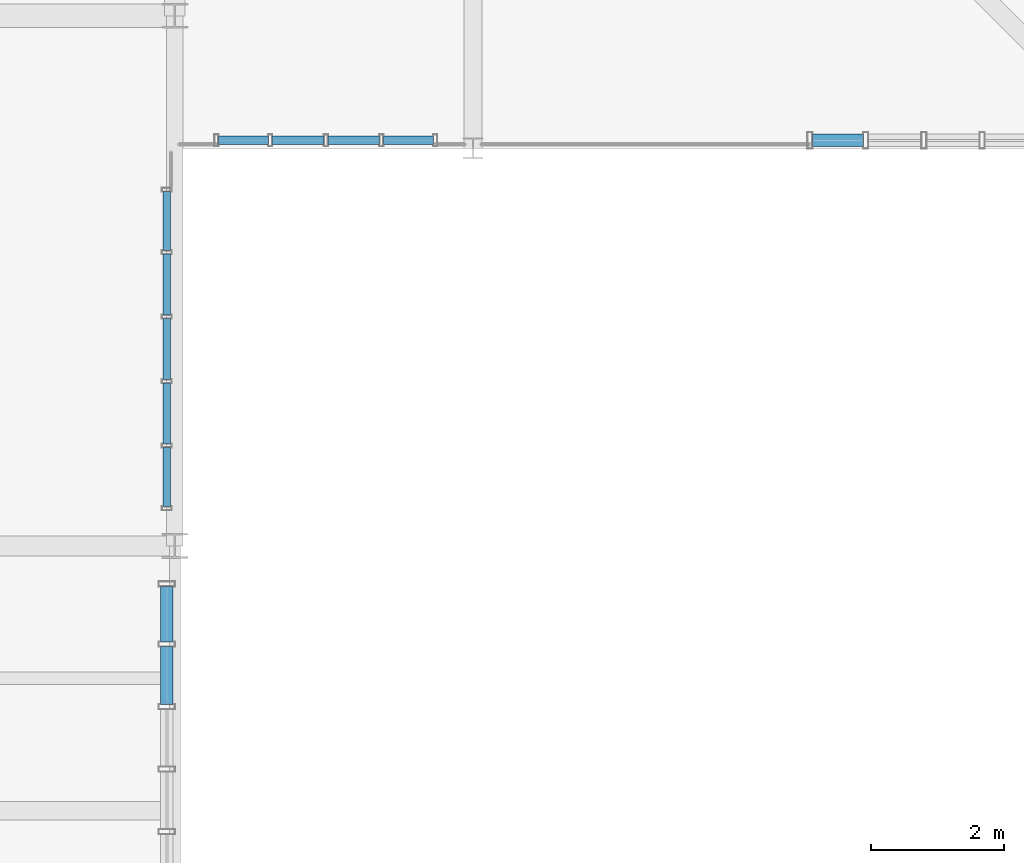
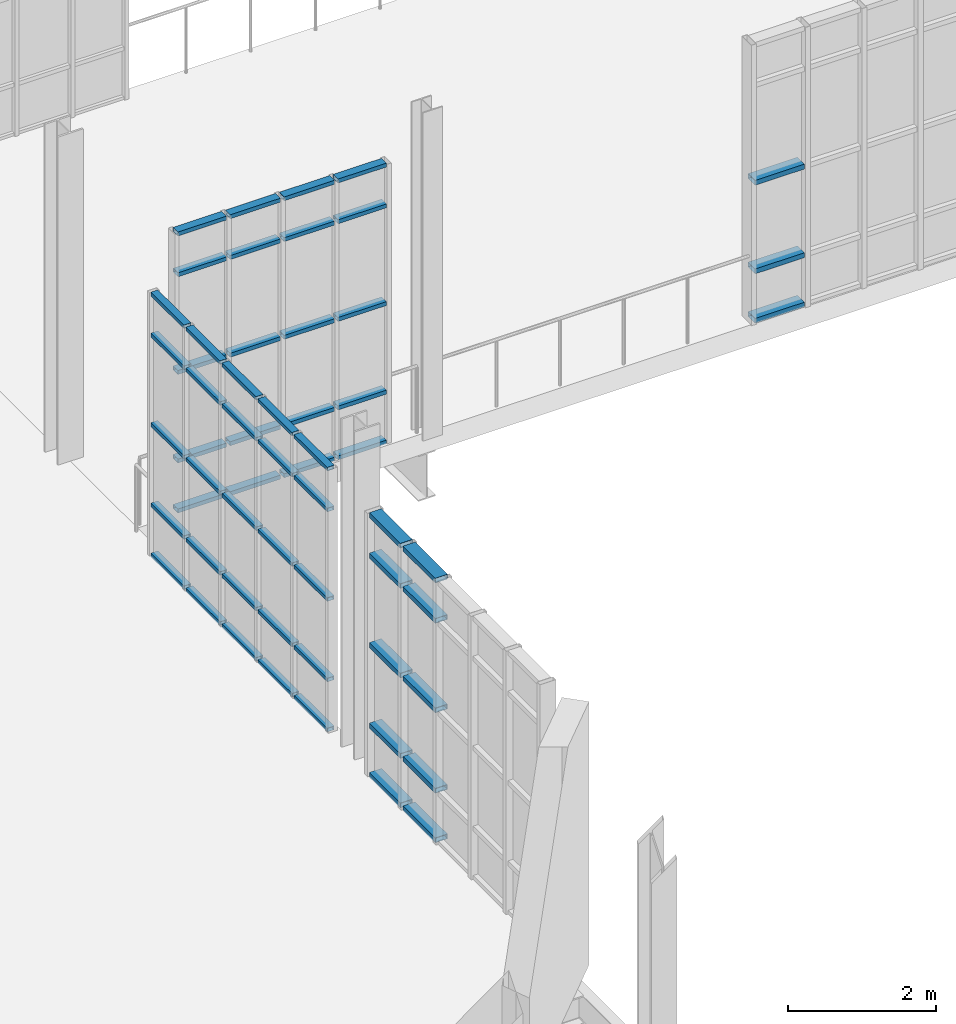
# One storey, part 113 of 189: 58 members, 4 elements without a shape of their own.
"""IFC4 building model written with IfcOpenShell, lengths in metres."""

from ifc_helpers import new_model, si_unit, direction, frame, origin, origin_2d, place, context, subcontext, project, spatial, hollow_rectangle, extrude, material, layer, layer_set, material_profile, profile_set, type_object, element, aggregate, save


model = new_model("IFC4")

# Units and contexts
model_context = context("Model", 3, precision=1e-05, world=origin(), true_north=direction((0.0, 1.0)))
body_context = subcontext(model_context, "Body", "Model", "MODEL_VIEW")
ifc_project = project(units=[si_unit("LENGTHUNIT", "METRE"), si_unit("AREAUNIT", "SQUARE_METRE"), si_unit("VOLUMEUNIT", "CUBIC_METRE"), si_unit("PLANEANGLEUNIT", "RADIAN"), si_unit("MASSUNIT", "GRAM", prefix="KILO"), si_unit("THERMODYNAMICTEMPERATUREUNIT", "KELVIN"), si_unit("POWERUNIT", "WATT")], contexts=[model_context])

# Site, building, storey
site_placement = place(None, origin())
site = spatial("IfcSite", under=ifc_project, at=site_placement, CompositionType="ELEMENT")
building_placement = place(site_placement, origin())
building = spatial("IfcBuilding", under=site, at=building_placement, Name="Zelmaris Science Centre", CompositionType="ELEMENT")
storey_placement = place(building_placement, origin())
storey = spatial("IfcBuildingStorey", under=building, at=storey_placement, Name="L00", CompositionType="ELEMENT", Elevation=0.0)

# Curtain wall, members
ifc_material = material(Name="Anodised architectural aluminium 6063-T6", Category="aluminium")
ifc_layer_1 = layer(ifc_material, 0.219970703125, Name="Anodised architectural aluminium 6063-T6")
ifc_layer_set_1 = layer_set([ifc_layer_1], Name="Anodised architectural aluminium 6063-T6")
curtain_wall_type_1 = type_object("IfcCurtainWallType", Name="Curtain Wall CW-04", PredefinedType="USERDEFINED", material=ifc_layer_set_1)
curtain_wall_1_placement = place(storey_placement, origin())
curtain_wall_1 = element("IfcCurtainWall", 1, at=curtain_wall_1_placement, inside=storey, type_object=curtain_wall_type_1, Name="L00 Unitised curtain wall 124", ObjectType="GLAZED CURTAIN WALL", PredefinedType="USERDEFINED")
ifc_material_profile_1 = material_profile(ifc_material, hollow_rectangle(XDim=0.06005859375, YDim=0.110107421875, WallThickness=0.0029296875, at=origin_2d()), Name="ALU-TRN-60X110")
ifc_profile_set_1 = profile_set([ifc_material_profile_1], Name="Anodised architectural aluminium 6063-T6")
member_type_1 = type_object("IfcMemberType", Name="ALU-TRN-60X110", PredefinedType="USERDEFINED", material=ifc_profile_set_1)
member_1_placement = place(storey_placement, frame((53.8798828125, 21.347900390625, 0.010986328125), z_axis=(0.0, -1.0, 0.0), x_axis=(0.0, 0.0, 1.0)))
member_1 = element("IfcMember", 2, at=member_1_placement, type_object=member_type_1, Name="CW-04 transom 1.1", ObjectType="TRANSOM", PredefinedType="USERDEFINED", context=body_context, shape_type="SweptSolid", body=[
    extrude(hollow_rectangle(XDim=0.06005859375, YDim=0.110107421875, WallThickness=0.0029296875, at=origin_2d()), origin(), (0.0, 0.0, 1.0), 0.893798828125),
])
member_2_placement = place(storey_placement, frame((53.8798828125, 21.347900390625, 0.8349609375), z_axis=(0.0, -1.0, 0.0), x_axis=(0.0, 0.0, 1.0)))
member_2 = element("IfcMember", 3, at=member_2_placement, type_object=member_type_1, Name="CW-04 transom 1.2", ObjectType="TRANSOM", PredefinedType="USERDEFINED", context=body_context, shape_type="SweptSolid", body=[
    extrude(hollow_rectangle(XDim=0.06005859375, YDim=0.110107421875, WallThickness=0.0029296875, at=origin_2d()), origin(), (0.0, 0.0, 1.0), 0.893798828125),
])
member_3_placement = place(storey_placement, frame((53.8798828125, 21.347900390625, 2.157958984375), z_axis=(0.0, -1.0, 0.0), x_axis=(0.0, 0.0, 1.0)))
member_3 = element("IfcMember", 4, at=member_3_placement, type_object=member_type_1, Name="CW-04 transom 1.3", ObjectType="TRANSOM", PredefinedType="USERDEFINED", context=body_context, shape_type="SweptSolid", body=[
    extrude(hollow_rectangle(XDim=0.06005859375, YDim=0.110107421875, WallThickness=0.0029296875, at=origin_2d()), origin(), (0.0, 0.0, 1.0), 0.893798828125),
])
member_4_placement = place(storey_placement, frame((53.8798828125, 21.347900390625, 3.631103515625), z_axis=(0.0, -1.0, 0.0), x_axis=(0.0, 0.0, 1.0)))
member_4 = element("IfcMember", 5, at=member_4_placement, type_object=member_type_1, Name="CW-04 transom 1.4", ObjectType="TRANSOM", PredefinedType="USERDEFINED", context=body_context, shape_type="SweptSolid", body=[
    extrude(hollow_rectangle(XDim=0.06005859375, YDim=0.110107421875, WallThickness=0.0029296875, at=origin_2d()), origin(), (0.0, 0.0, 1.0), 0.893798828125),
])
member_5_placement = place(storey_placement, frame((53.8798828125, 21.347900390625, 4.304931640625), z_axis=(0.0, -1.0, 0.0), x_axis=(0.0, 0.0, 1.0)))
member_5 = element("IfcMember", 6, at=member_5_placement, type_object=member_type_1, Name="CW-04 transom 1.5", ObjectType="TRANSOM", PredefinedType="USERDEFINED", context=body_context, shape_type="SweptSolid", body=[
    extrude(hollow_rectangle(XDim=0.06005859375, YDim=0.110107421875, WallThickness=0.0029296875, at=origin_2d()), origin(), (0.0, 0.0, 1.0), 0.893798828125),
])
member_6_placement = place(storey_placement, frame((53.8798828125, 20.402099609375, 0.010986328125), z_axis=(0.0, -1.0, 0.0), x_axis=(0.0, 0.0, 1.0)))
member_6 = element("IfcMember", 7, at=member_6_placement, type_object=member_type_1, Name="CW-04 transom 2.1", ObjectType="TRANSOM", PredefinedType="USERDEFINED", context=body_context, shape_type="SweptSolid", body=[
    extrude(hollow_rectangle(XDim=0.06005859375, YDim=0.110107421875, WallThickness=0.0029296875, at=origin_2d()), origin(), (0.0, 0.0, 1.0), 0.920166015625),
])
member_7_placement = place(storey_placement, frame((53.8798828125, 20.402099609375, 0.8349609375), z_axis=(0.0, -1.0, 0.0), x_axis=(0.0, 0.0, 1.0)))
member_7 = element("IfcMember", 8, at=member_7_placement, type_object=member_type_1, Name="CW-04 transom 2.2", ObjectType="TRANSOM", PredefinedType="USERDEFINED", context=body_context, shape_type="SweptSolid", body=[
    extrude(hollow_rectangle(XDim=0.06005859375, YDim=0.110107421875, WallThickness=0.0029296875, at=origin_2d()), origin(), (0.0, 0.0, 1.0), 0.920166015625),
])
member_8_placement = place(storey_placement, frame((53.8798828125, 20.402099609375, 2.157958984375), z_axis=(0.0, -1.0, 0.0), x_axis=(0.0, 0.0, 1.0)))
member_8 = element("IfcMember", 9, at=member_8_placement, type_object=member_type_1, Name="CW-04 transom 2.3", ObjectType="TRANSOM", PredefinedType="USERDEFINED", context=body_context, shape_type="SweptSolid", body=[
    extrude(hollow_rectangle(XDim=0.06005859375, YDim=0.110107421875, WallThickness=0.0029296875, at=origin_2d()), origin(), (0.0, 0.0, 1.0), 0.920166015625),
])
member_9_placement = place(storey_placement, frame((53.8798828125, 20.402099609375, 3.631103515625), z_axis=(0.0, -1.0, 0.0), x_axis=(0.0, 0.0, 1.0)))
member_9 = element("IfcMember", 10, at=member_9_placement, type_object=member_type_1, Name="CW-04 transom 2.4", ObjectType="TRANSOM", PredefinedType="USERDEFINED", context=body_context, shape_type="SweptSolid", body=[
    extrude(hollow_rectangle(XDim=0.06005859375, YDim=0.110107421875, WallThickness=0.0029296875, at=origin_2d()), origin(), (0.0, 0.0, 1.0), 0.920166015625),
])
member_10_placement = place(storey_placement, frame((53.8798828125, 20.402099609375, 4.304931640625), z_axis=(0.0, -1.0, 0.0), x_axis=(0.0, 0.0, 1.0)))
member_10 = element("IfcMember", 11, at=member_10_placement, type_object=member_type_1, Name="CW-04 transom 2.5", ObjectType="TRANSOM", PredefinedType="USERDEFINED", context=body_context, shape_type="SweptSolid", body=[
    extrude(hollow_rectangle(XDim=0.06005859375, YDim=0.110107421875, WallThickness=0.0029296875, at=origin_2d()), origin(), (0.0, 0.0, 1.0), 0.920166015625),
])
member_11_placement = place(storey_placement, frame((53.8798828125, 19.429931640625, 0.010986328125), z_axis=(0.0, -1.0, 0.0), x_axis=(0.0, 0.0, 1.0)))
member_11 = element("IfcMember", 12, at=member_11_placement, type_object=member_type_1, Name="CW-04 transom 3.1", ObjectType="TRANSOM", PredefinedType="USERDEFINED", context=body_context, shape_type="SweptSolid", body=[
    extrude(hollow_rectangle(XDim=0.06005859375, YDim=0.110107421875, WallThickness=0.0029296875, at=origin_2d()), origin(), (0.0, 0.0, 1.0), 0.919921875),
])
member_12_placement = place(storey_placement, frame((53.8798828125, 19.429931640625, 0.8349609375), z_axis=(0.0, -1.0, 0.0), x_axis=(0.0, 0.0, 1.0)))
member_12 = element("IfcMember", 13, at=member_12_placement, type_object=member_type_1, Name="CW-04 transom 3.2", ObjectType="TRANSOM", PredefinedType="USERDEFINED", context=body_context, shape_type="SweptSolid", body=[
    extrude(hollow_rectangle(XDim=0.06005859375, YDim=0.110107421875, WallThickness=0.0029296875, at=origin_2d()), origin(), (0.0, 0.0, 1.0), 0.919921875),
])
member_13_placement = place(storey_placement, frame((53.8798828125, 19.429931640625, 2.157958984375), z_axis=(0.0, -1.0, 0.0), x_axis=(0.0, 0.0, 1.0)))
member_13 = element("IfcMember", 14, at=member_13_placement, type_object=member_type_1, Name="CW-04 transom 3.3", ObjectType="TRANSOM", PredefinedType="USERDEFINED", context=body_context, shape_type="SweptSolid", body=[
    extrude(hollow_rectangle(XDim=0.06005859375, YDim=0.110107421875, WallThickness=0.0029296875, at=origin_2d()), origin(), (0.0, 0.0, 1.0), 0.919921875),
])
member_14_placement = place(storey_placement, frame((53.8798828125, 19.429931640625, 3.631103515625), z_axis=(0.0, -1.0, 0.0), x_axis=(0.0, 0.0, 1.0)))
member_14 = element("IfcMember", 15, at=member_14_placement, type_object=member_type_1, Name="CW-04 transom 3.4", ObjectType="TRANSOM", PredefinedType="USERDEFINED", context=body_context, shape_type="SweptSolid", body=[
    extrude(hollow_rectangle(XDim=0.06005859375, YDim=0.110107421875, WallThickness=0.0029296875, at=origin_2d()), origin(), (0.0, 0.0, 1.0), 0.919921875),
])
member_15_placement = place(storey_placement, frame((53.8798828125, 19.429931640625, 4.304931640625), z_axis=(0.0, -1.0, 0.0), x_axis=(0.0, 0.0, 1.0)))
member_15 = element("IfcMember", 16, at=member_15_placement, type_object=member_type_1, Name="CW-04 transom 3.5", ObjectType="TRANSOM", PredefinedType="USERDEFINED", context=body_context, shape_type="SweptSolid", body=[
    extrude(hollow_rectangle(XDim=0.06005859375, YDim=0.110107421875, WallThickness=0.0029296875, at=origin_2d()), origin(), (0.0, 0.0, 1.0), 0.919921875),
])
member_16_placement = place(storey_placement, frame((53.8798828125, 18.4580078125, 0.010986328125), z_axis=(0.0, -1.0, 0.0), x_axis=(0.0, 0.0, 1.0)))
member_16 = element("IfcMember", 17, at=member_16_placement, type_object=member_type_1, Name="CW-04 transom 4.1", ObjectType="TRANSOM", PredefinedType="USERDEFINED", context=body_context, shape_type="SweptSolid", body=[
    extrude(hollow_rectangle(XDim=0.06005859375, YDim=0.110107421875, WallThickness=0.0029296875, at=origin_2d()), origin(), (0.0, 0.0, 1.0), 0.919921875),
])
member_17_placement = place(storey_placement, frame((53.8798828125, 18.4580078125, 0.8349609375), z_axis=(0.0, -1.0, 0.0), x_axis=(0.0, 0.0, 1.0)))
member_17 = element("IfcMember", 18, at=member_17_placement, type_object=member_type_1, Name="CW-04 transom 4.2", ObjectType="TRANSOM", PredefinedType="USERDEFINED", context=body_context, shape_type="SweptSolid", body=[
    extrude(hollow_rectangle(XDim=0.06005859375, YDim=0.110107421875, WallThickness=0.0029296875, at=origin_2d()), origin(), (0.0, 0.0, 1.0), 0.919921875),
])
member_18_placement = place(storey_placement, frame((53.8798828125, 18.4580078125, 2.157958984375), z_axis=(0.0, -1.0, 0.0), x_axis=(0.0, 0.0, 1.0)))
member_18 = element("IfcMember", 19, at=member_18_placement, type_object=member_type_1, Name="CW-04 transom 4.3", ObjectType="TRANSOM", PredefinedType="USERDEFINED", context=body_context, shape_type="SweptSolid", body=[
    extrude(hollow_rectangle(XDim=0.06005859375, YDim=0.110107421875, WallThickness=0.0029296875, at=origin_2d()), origin(), (0.0, 0.0, 1.0), 0.919921875),
])
member_19_placement = place(storey_placement, frame((53.8798828125, 18.4580078125, 3.631103515625), z_axis=(0.0, -1.0, 0.0), x_axis=(0.0, 0.0, 1.0)))
member_19 = element("IfcMember", 20, at=member_19_placement, type_object=member_type_1, Name="CW-04 transom 4.4", ObjectType="TRANSOM", PredefinedType="USERDEFINED", context=body_context, shape_type="SweptSolid", body=[
    extrude(hollow_rectangle(XDim=0.06005859375, YDim=0.110107421875, WallThickness=0.0029296875, at=origin_2d()), origin(), (0.0, 0.0, 1.0), 0.919921875),
])
member_20_placement = place(storey_placement, frame((53.8798828125, 18.4580078125, 4.304931640625), z_axis=(0.0, -1.0, 0.0), x_axis=(0.0, 0.0, 1.0)))
member_20 = element("IfcMember", 21, at=member_20_placement, type_object=member_type_1, Name="CW-04 transom 4.5", ObjectType="TRANSOM", PredefinedType="USERDEFINED", context=body_context, shape_type="SweptSolid", body=[
    extrude(hollow_rectangle(XDim=0.06005859375, YDim=0.110107421875, WallThickness=0.0029296875, at=origin_2d()), origin(), (0.0, 0.0, 1.0), 0.919921875),
])
member_21_placement = place(storey_placement, frame((53.8798828125, 17.486083984375, 0.010986328125), z_axis=(0.0, -1.0, 0.0), x_axis=(0.0, 0.0, 1.0)))
member_21 = element("IfcMember", 22, at=member_21_placement, type_object=member_type_1, Name="CW-04 transom 5.1", ObjectType="TRANSOM", PredefinedType="USERDEFINED", context=body_context, shape_type="SweptSolid", body=[
    extrude(hollow_rectangle(XDim=0.06005859375, YDim=0.110107421875, WallThickness=0.0029296875, at=origin_2d()), origin(), (0.0, 0.0, 1.0), 0.89404296875),
])
member_22_placement = place(storey_placement, frame((53.8798828125, 17.486083984375, 0.8349609375), z_axis=(0.0, -1.0, 0.0), x_axis=(0.0, 0.0, 1.0)))
member_22 = element("IfcMember", 23, at=member_22_placement, type_object=member_type_1, Name="CW-04 transom 5.2", ObjectType="TRANSOM", PredefinedType="USERDEFINED", context=body_context, shape_type="SweptSolid", body=[
    extrude(hollow_rectangle(XDim=0.06005859375, YDim=0.110107421875, WallThickness=0.0029296875, at=origin_2d()), origin(), (0.0, 0.0, 1.0), 0.89404296875),
])
member_23_placement = place(storey_placement, frame((53.8798828125, 17.486083984375, 2.157958984375), z_axis=(0.0, -1.0, 0.0), x_axis=(0.0, 0.0, 1.0)))
member_23 = element("IfcMember", 24, at=member_23_placement, type_object=member_type_1, Name="CW-04 transom 5.3", ObjectType="TRANSOM", PredefinedType="USERDEFINED", context=body_context, shape_type="SweptSolid", body=[
    extrude(hollow_rectangle(XDim=0.06005859375, YDim=0.110107421875, WallThickness=0.0029296875, at=origin_2d()), origin(), (0.0, 0.0, 1.0), 0.89404296875),
])
member_24_placement = place(storey_placement, frame((53.8798828125, 17.486083984375, 3.631103515625), z_axis=(0.0, -1.0, 0.0), x_axis=(0.0, 0.0, 1.0)))
member_24 = element("IfcMember", 25, at=member_24_placement, type_object=member_type_1, Name="CW-04 transom 5.4", ObjectType="TRANSOM", PredefinedType="USERDEFINED", context=body_context, shape_type="SweptSolid", body=[
    extrude(hollow_rectangle(XDim=0.06005859375, YDim=0.110107421875, WallThickness=0.0029296875, at=origin_2d()), origin(), (0.0, 0.0, 1.0), 0.89404296875),
])
member_25_placement = place(storey_placement, frame((53.8798828125, 17.486083984375, 4.304931640625), z_axis=(0.0, -1.0, 0.0), x_axis=(0.0, 0.0, 1.0)))
member_25 = element("IfcMember", 26, at=member_25_placement, type_object=member_type_1, Name="CW-04 transom 5.5", ObjectType="TRANSOM", PredefinedType="USERDEFINED", context=body_context, shape_type="SweptSolid", body=[
    extrude(hollow_rectangle(XDim=0.06005859375, YDim=0.110107421875, WallThickness=0.0029296875, at=origin_2d()), origin(), (0.0, 0.0, 1.0), 0.89404296875),
])
aggregate(curtain_wall_1, [member_1, member_2, member_3, member_4, member_5, member_6, member_7, member_8, member_9, member_10, member_11, member_12, member_13, member_14, member_15, member_16, member_17, member_18, member_19, member_20, member_21, member_22, member_23, member_24, member_25])

ifc_layer_2 = layer(ifc_material, 0.2099609375, Name="Anodised architectural aluminium 6063-T6")
ifc_layer_set_2 = layer_set([ifc_layer_2], Name="Anodised architectural aluminium 6063-T6")
curtain_wall_type_2 = type_object("IfcCurtainWallType", Name="Curtain Wall CW-03", PredefinedType="USERDEFINED", material=ifc_layer_set_2)
curtain_wall_2_placement = place(storey_placement, origin())
curtain_wall_2 = element("IfcCurtainWall", 27, at=curtain_wall_2_placement, inside=storey, type_object=curtain_wall_type_2, Name="L00 Unitised curtain wall 123", ObjectType="GLAZED CURTAIN WALL", PredefinedType="USERDEFINED")
ifc_material_profile_2 = material_profile(ifc_material, hollow_rectangle(XDim=0.06494140625, YDim=0.1298828125, WallThickness=0.00341796875, at=origin_2d()), Name="ALU-TRN-65X130")
ifc_profile_set_2 = profile_set([ifc_material_profile_2], Name="Anodised architectural aluminium 6063-T6")
member_type_2 = type_object("IfcMemberType", Name="ALU-TRN-65X130", PredefinedType="USERDEFINED", material=ifc_profile_set_2)
member_26_placement = place(storey_placement, frame((57.903076171875, 22.119873046875, 0.013427734375), z_axis=(-1.0, 0.0, 0.0), x_axis=(0.0, 0.0, 1.0)))
member_26 = element("IfcMember", 28, at=member_26_placement, type_object=member_type_2, Name="CW-03 transom 1.1", ObjectType="TRANSOM", PredefinedType="USERDEFINED", context=body_context, shape_type="SweptSolid", body=[
    extrude(hollow_rectangle(XDim=0.06494140625, YDim=0.1298828125, WallThickness=0.00341796875, at=origin_2d()), origin(), (0.0, 0.0, 1.0), 0.754638671875),
])
member_27_placement = place(storey_placement, frame((57.903076171875, 22.119873046875, 0.8349609375), z_axis=(-1.0, 0.0, 0.0), x_axis=(0.0, 0.0, 1.0)))
member_27 = element("IfcMember", 29, at=member_27_placement, type_object=member_type_2, Name="CW-03 transom 1.2", ObjectType="TRANSOM", PredefinedType="USERDEFINED", context=body_context, shape_type="SweptSolid", body=[
    extrude(hollow_rectangle(XDim=0.06494140625, YDim=0.1298828125, WallThickness=0.00341796875, at=origin_2d()), origin(), (0.0, 0.0, 1.0), 0.754638671875),
])
member_28_placement = place(storey_placement, frame((57.903076171875, 22.119873046875, 2.29248046875), z_axis=(-1.0, 0.0, 0.0), x_axis=(0.0, 0.0, 1.0)))
member_28 = element("IfcMember", 30, at=member_28_placement, type_object=member_type_2, Name="CW-03 transom 1.3", ObjectType="TRANSOM", PredefinedType="USERDEFINED", context=body_context, shape_type="SweptSolid", body=[
    extrude(hollow_rectangle(XDim=0.06494140625, YDim=0.1298828125, WallThickness=0.00341796875, at=origin_2d()), origin(), (0.0, 0.0, 1.0), 0.754638671875),
])
member_29_placement = place(storey_placement, frame((57.903076171875, 22.119873046875, 3.89990234375), z_axis=(-1.0, 0.0, 0.0), x_axis=(0.0, 0.0, 1.0)))
member_29 = element("IfcMember", 31, at=member_29_placement, type_object=member_type_2, Name="CW-03 transom 1.4", ObjectType="TRANSOM", PredefinedType="USERDEFINED", context=body_context, shape_type="SweptSolid", body=[
    extrude(hollow_rectangle(XDim=0.06494140625, YDim=0.1298828125, WallThickness=0.00341796875, at=origin_2d()), origin(), (0.0, 0.0, 1.0), 0.754638671875),
])
member_30_placement = place(storey_placement, frame((57.903076171875, 22.119873046875, 4.571533203125), z_axis=(-1.0, 0.0, 0.0), x_axis=(0.0, 0.0, 1.0)))
member_30 = element("IfcMember", 32, at=member_30_placement, type_object=member_type_2, Name="CW-03 transom 1.5", ObjectType="TRANSOM", PredefinedType="USERDEFINED", context=body_context, shape_type="SweptSolid", body=[
    extrude(hollow_rectangle(XDim=0.06494140625, YDim=0.1298828125, WallThickness=0.00341796875, at=origin_2d()), origin(), (0.0, 0.0, 1.0), 0.754638671875),
])
member_31_placement = place(storey_placement, frame((57.091552734375, 22.119873046875, 0.013427734375), z_axis=(-1.0, 0.0, 0.0), x_axis=(0.0, 0.0, 1.0)))
member_31 = element("IfcMember", 33, at=member_31_placement, type_object=member_type_2, Name="CW-03 transom 2.1", ObjectType="TRANSOM", PredefinedType="USERDEFINED", context=body_context, shape_type="SweptSolid", body=[
    extrude(hollow_rectangle(XDim=0.06494140625, YDim=0.1298828125, WallThickness=0.00341796875, at=origin_2d()), origin(), (0.0, 0.0, 1.0), 0.782958984375),
])
member_32_placement = place(storey_placement, frame((57.091552734375, 22.119873046875, 0.8349609375), z_axis=(-1.0, 0.0, 0.0), x_axis=(0.0, 0.0, 1.0)))
member_32 = element("IfcMember", 34, at=member_32_placement, type_object=member_type_2, Name="CW-03 transom 2.2", ObjectType="TRANSOM", PredefinedType="USERDEFINED", context=body_context, shape_type="SweptSolid", body=[
    extrude(hollow_rectangle(XDim=0.06494140625, YDim=0.1298828125, WallThickness=0.00341796875, at=origin_2d()), origin(), (0.0, 0.0, 1.0), 0.782958984375),
])
member_33_placement = place(storey_placement, frame((57.091552734375, 22.119873046875, 2.29248046875), z_axis=(-1.0, 0.0, 0.0), x_axis=(0.0, 0.0, 1.0)))
member_33 = element("IfcMember", 35, at=member_33_placement, type_object=member_type_2, Name="CW-03 transom 2.3", ObjectType="TRANSOM", PredefinedType="USERDEFINED", context=body_context, shape_type="SweptSolid", body=[
    extrude(hollow_rectangle(XDim=0.06494140625, YDim=0.1298828125, WallThickness=0.00341796875, at=origin_2d()), origin(), (0.0, 0.0, 1.0), 0.782958984375),
])
member_34_placement = place(storey_placement, frame((57.091552734375, 22.119873046875, 3.89990234375), z_axis=(-1.0, 0.0, 0.0), x_axis=(0.0, 0.0, 1.0)))
member_34 = element("IfcMember", 36, at=member_34_placement, type_object=member_type_2, Name="CW-03 transom 2.4", ObjectType="TRANSOM", PredefinedType="USERDEFINED", context=body_context, shape_type="SweptSolid", body=[
    extrude(hollow_rectangle(XDim=0.06494140625, YDim=0.1298828125, WallThickness=0.00341796875, at=origin_2d()), origin(), (0.0, 0.0, 1.0), 0.782958984375),
])
member_35_placement = place(storey_placement, frame((57.091552734375, 22.119873046875, 4.571533203125), z_axis=(-1.0, 0.0, 0.0), x_axis=(0.0, 0.0, 1.0)))
member_35 = element("IfcMember", 37, at=member_35_placement, type_object=member_type_2, Name="CW-03 transom 2.5", ObjectType="TRANSOM", PredefinedType="USERDEFINED", context=body_context, shape_type="SweptSolid", body=[
    extrude(hollow_rectangle(XDim=0.06494140625, YDim=0.1298828125, WallThickness=0.00341796875, at=origin_2d()), origin(), (0.0, 0.0, 1.0), 0.782958984375),
])
member_36_placement = place(storey_placement, frame((56.25146484375, 22.119873046875, 0.013427734375), z_axis=(-1.0, 0.0, 0.0), x_axis=(0.0, 0.0, 1.0)))
member_36 = element("IfcMember", 38, at=member_36_placement, type_object=member_type_2, Name="CW-03 transom 3.1", ObjectType="TRANSOM", PredefinedType="USERDEFINED", context=body_context, shape_type="SweptSolid", body=[
    extrude(hollow_rectangle(XDim=0.06494140625, YDim=0.1298828125, WallThickness=0.00341796875, at=origin_2d()), origin(), (0.0, 0.0, 1.0), 0.782958984375),
])
member_37_placement = place(storey_placement, frame((56.25146484375, 22.119873046875, 0.8349609375), z_axis=(-1.0, 0.0, 0.0), x_axis=(0.0, 0.0, 1.0)))
member_37 = element("IfcMember", 39, at=member_37_placement, type_object=member_type_2, Name="CW-03 transom 3.2", ObjectType="TRANSOM", PredefinedType="USERDEFINED", context=body_context, shape_type="SweptSolid", body=[
    extrude(hollow_rectangle(XDim=0.06494140625, YDim=0.1298828125, WallThickness=0.00341796875, at=origin_2d()), origin(), (0.0, 0.0, 1.0), 0.782958984375),
])
member_38_placement = place(storey_placement, frame((56.25146484375, 22.119873046875, 2.29248046875), z_axis=(-1.0, 0.0, 0.0), x_axis=(0.0, 0.0, 1.0)))
member_38 = element("IfcMember", 40, at=member_38_placement, type_object=member_type_2, Name="CW-03 transom 3.3", ObjectType="TRANSOM", PredefinedType="USERDEFINED", context=body_context, shape_type="SweptSolid", body=[
    extrude(hollow_rectangle(XDim=0.06494140625, YDim=0.1298828125, WallThickness=0.00341796875, at=origin_2d()), origin(), (0.0, 0.0, 1.0), 0.782958984375),
])
member_39_placement = place(storey_placement, frame((56.25146484375, 22.119873046875, 3.89990234375), z_axis=(-1.0, 0.0, 0.0), x_axis=(0.0, 0.0, 1.0)))
member_39 = element("IfcMember", 41, at=member_39_placement, type_object=member_type_2, Name="CW-03 transom 3.4", ObjectType="TRANSOM", PredefinedType="USERDEFINED", context=body_context, shape_type="SweptSolid", body=[
    extrude(hollow_rectangle(XDim=0.06494140625, YDim=0.1298828125, WallThickness=0.00341796875, at=origin_2d()), origin(), (0.0, 0.0, 1.0), 0.782958984375),
])
member_40_placement = place(storey_placement, frame((56.25146484375, 22.119873046875, 4.571533203125), z_axis=(-1.0, 0.0, 0.0), x_axis=(0.0, 0.0, 1.0)))
member_40 = element("IfcMember", 42, at=member_40_placement, type_object=member_type_2, Name="CW-03 transom 3.5", ObjectType="TRANSOM", PredefinedType="USERDEFINED", context=body_context, shape_type="SweptSolid", body=[
    extrude(hollow_rectangle(XDim=0.06494140625, YDim=0.1298828125, WallThickness=0.00341796875, at=origin_2d()), origin(), (0.0, 0.0, 1.0), 0.782958984375),
])
member_41_placement = place(storey_placement, frame((55.41162109375, 22.119873046875, 0.013427734375), z_axis=(-0.999999947667, 0.00032351988, 0.0), x_axis=(0.0, 0.0, 1.0)))
member_41 = element("IfcMember", 43, at=member_41_placement, type_object=member_type_2, Name="CW-03 transom 4.1", ObjectType="TRANSOM", PredefinedType="USERDEFINED", context=body_context, shape_type="SweptSolid", body=[
    extrude(hollow_rectangle(XDim=0.06494140625, YDim=0.1298828125, WallThickness=0.00341796875, at=origin_2d()), origin(), (0.0, 0.0, 1.0), 0.754638671875),
])
member_42_placement = place(storey_placement, frame((55.41162109375, 22.119873046875, 0.8349609375), z_axis=(-0.999999947667, 0.00032351988, 0.0), x_axis=(0.0, 0.0, 1.0)))
member_42 = element("IfcMember", 44, at=member_42_placement, type_object=member_type_2, Name="CW-03 transom 4.2", ObjectType="TRANSOM", PredefinedType="USERDEFINED", context=body_context, shape_type="SweptSolid", body=[
    extrude(hollow_rectangle(XDim=0.06494140625, YDim=0.1298828125, WallThickness=0.00341796875, at=origin_2d()), origin(), (0.0, 0.0, 1.0), 0.754638671875),
])
member_43_placement = place(storey_placement, frame((55.41162109375, 22.119873046875, 2.29248046875), z_axis=(-0.999999947667, 0.00032351988, 0.0), x_axis=(0.0, 0.0, 1.0)))
member_43 = element("IfcMember", 45, at=member_43_placement, type_object=member_type_2, Name="CW-03 transom 4.3", ObjectType="TRANSOM", PredefinedType="USERDEFINED", context=body_context, shape_type="SweptSolid", body=[
    extrude(hollow_rectangle(XDim=0.06494140625, YDim=0.1298828125, WallThickness=0.00341796875, at=origin_2d()), origin(), (0.0, 0.0, 1.0), 0.754638671875),
])
member_44_placement = place(storey_placement, frame((55.41162109375, 22.119873046875, 3.89990234375), z_axis=(-0.999999947667, 0.00032351988, 0.0), x_axis=(0.0, 0.0, 1.0)))
member_44 = element("IfcMember", 46, at=member_44_placement, type_object=member_type_2, Name="CW-03 transom 4.4", ObjectType="TRANSOM", PredefinedType="USERDEFINED", context=body_context, shape_type="SweptSolid", body=[
    extrude(hollow_rectangle(XDim=0.06494140625, YDim=0.1298828125, WallThickness=0.00341796875, at=origin_2d()), origin(), (0.0, 0.0, 1.0), 0.754638671875),
])
member_45_placement = place(storey_placement, frame((55.41162109375, 22.119873046875, 4.571533203125), z_axis=(-0.999999947667, 0.00032351988, 0.0), x_axis=(0.0, 0.0, 1.0)))
member_45 = element("IfcMember", 47, at=member_45_placement, type_object=member_type_2, Name="CW-03 transom 4.5", ObjectType="TRANSOM", PredefinedType="USERDEFINED", context=body_context, shape_type="SweptSolid", body=[
    extrude(hollow_rectangle(XDim=0.06494140625, YDim=0.1298828125, WallThickness=0.00341796875, at=origin_2d()), origin(), (0.0, 0.0, 1.0), 0.754638671875),
])
aggregate(curtain_wall_2, [member_26, member_27, member_28, member_29, member_30, member_31, member_32, member_33, member_34, member_35, member_36, member_37, member_38, member_39, member_40, member_41, member_42, member_43, member_44, member_45])

ifc_layer_3 = layer(ifc_material, 0.18994140625, Name="Anodised architectural aluminium 6063-T6")
ifc_layer_set_3 = layer_set([ifc_layer_3], Name="Anodised architectural aluminium 6063-T6")
curtain_wall_type_3 = type_object("IfcCurtainWallType", Name="Curtain Wall CW-01", PredefinedType="USERDEFINED", material=ifc_layer_set_3)
curtain_wall_3_placement = place(storey_placement, origin())
curtain_wall_3 = element("IfcCurtainWall", 48, at=curtain_wall_3_placement, inside=storey, type_object=curtain_wall_type_3, Name="L00 Unitised curtain wall 121", ObjectType="GLAZED CURTAIN WALL", PredefinedType="USERDEFINED")
ifc_material_profile_3 = material_profile(ifc_material, hollow_rectangle(XDim=0.080078125, YDim=0.18994140625, WallThickness=0.00439453125, at=origin_2d()), Name="ALU-TRN-80X190")
ifc_profile_set_3 = profile_set([ifc_material_profile_3], Name="Anodised architectural aluminium 6063-T6")
member_type_3 = type_object("IfcMemberType", Name="ALU-TRN-80X190", PredefinedType="USERDEFINED", material=ifc_profile_set_3)
member_46_placement = place(storey_placement, frame((64.392578125, 22.119873046875, 0.02099609375), z_axis=(-1.0, 0.0, 0.0), x_axis=(0.0, 0.0, 1.0)))
member_46 = element("IfcMember", 49, at=member_46_placement, type_object=member_type_3, Name="CW-01 transom 5.1", ObjectType="TRANSOM", PredefinedType="USERDEFINED", context=body_context, shape_type="SweptSolid", body=[
    extrude(hollow_rectangle(XDim=0.080078125, YDim=0.18994140625, WallThickness=0.00439453125, at=origin_2d()), origin(), (0.0, 0.0, 1.0), 0.77001953125),
])
member_47_placement = place(storey_placement, frame((64.392578125, 22.119873046875, 0.8349609375), z_axis=(-1.0, 0.0, 0.0), x_axis=(0.0, 0.0, 1.0)))
member_47 = element("IfcMember", 50, at=member_47_placement, type_object=member_type_3, Name="CW-01 transom 5.2", ObjectType="TRANSOM", PredefinedType="USERDEFINED", context=body_context, shape_type="SweptSolid", body=[
    extrude(hollow_rectangle(XDim=0.080078125, YDim=0.18994140625, WallThickness=0.00439453125, at=origin_2d()), origin(), (0.0, 0.0, 1.0), 0.77001953125),
])
member_48_placement = place(storey_placement, frame((64.392578125, 22.119873046875, 2.29248046875), z_axis=(-1.0, 0.0, 0.0), x_axis=(0.0, 0.0, 1.0)))
member_48 = element("IfcMember", 51, at=member_48_placement, type_object=member_type_3, Name="CW-01 transom 5.3", ObjectType="TRANSOM", PredefinedType="USERDEFINED", context=body_context, shape_type="SweptSolid", body=[
    extrude(hollow_rectangle(XDim=0.080078125, YDim=0.18994140625, WallThickness=0.00439453125, at=origin_2d()), origin(), (0.0, 0.0, 1.0), 0.77001953125),
])
aggregate(curtain_wall_3, [member_46, member_47, member_48])

curtain_wall_4_placement = place(storey_placement, origin())
curtain_wall_4 = element("IfcCurtainWall", 52, at=curtain_wall_4_placement, inside=storey, type_object=curtain_wall_type_3, Name="L00 Unitised curtain wall 125", ObjectType="GLAZED CURTAIN WALL", PredefinedType="USERDEFINED")
member_49_placement = place(storey_placement, frame((53.8798828125, 15.387939453125, 0.02099609375), z_axis=(0.0, -1.0, 0.0), x_axis=(0.0, 0.0, 1.0)))
member_49 = element("IfcMember", 53, at=member_49_placement, type_object=member_type_3, Name="CW-01 transom 1.1", ObjectType="TRANSOM", PredefinedType="USERDEFINED", context=body_context, shape_type="SweptSolid", body=[
    extrude(hollow_rectangle(XDim=0.080078125, YDim=0.18994140625, WallThickness=0.00439453125, at=origin_2d()), origin(), (0.0, 0.0, 1.0), 0.8359375),
])
member_50_placement = place(storey_placement, frame((53.8798828125, 15.387939453125, 0.8349609375), z_axis=(0.0, -1.0, 0.0), x_axis=(0.0, 0.0, 1.0)))
member_50 = element("IfcMember", 54, at=member_50_placement, type_object=member_type_3, Name="CW-01 transom 1.2", ObjectType="TRANSOM", PredefinedType="USERDEFINED", context=body_context, shape_type="SweptSolid", body=[
    extrude(hollow_rectangle(XDim=0.080078125, YDim=0.18994140625, WallThickness=0.00439453125, at=origin_2d()), origin(), (0.0, 0.0, 1.0), 0.8359375),
])
member_51_placement = place(storey_placement, frame((53.8798828125, 15.387939453125, 2.157958984375), z_axis=(0.0, -1.0, 0.0), x_axis=(0.0, 0.0, 1.0)))
member_51 = element("IfcMember", 55, at=member_51_placement, type_object=member_type_3, Name="CW-01 transom 1.3", ObjectType="TRANSOM", PredefinedType="USERDEFINED", context=body_context, shape_type="SweptSolid", body=[
    extrude(hollow_rectangle(XDim=0.080078125, YDim=0.18994140625, WallThickness=0.00439453125, at=origin_2d()), origin(), (0.0, 0.0, 1.0), 0.8359375),
])
member_52_placement = place(storey_placement, frame((53.8798828125, 15.387939453125, 3.631103515625), z_axis=(0.0, -1.0, 0.0), x_axis=(0.0, 0.0, 1.0)))
member_52 = element("IfcMember", 56, at=member_52_placement, type_object=member_type_3, Name="CW-01 transom 1.4", ObjectType="TRANSOM", PredefinedType="USERDEFINED", context=body_context, shape_type="SweptSolid", body=[
    extrude(hollow_rectangle(XDim=0.080078125, YDim=0.18994140625, WallThickness=0.00439453125, at=origin_2d()), origin(), (0.0, 0.0, 1.0), 0.8359375),
])
member_53_placement = place(storey_placement, frame((53.8798828125, 15.387939453125, 4.294921875), z_axis=(0.0, -1.0, 0.0), x_axis=(0.0, 0.0, 1.0)))
member_53 = element("IfcMember", 57, at=member_53_placement, type_object=member_type_3, Name="CW-01 transom 1.5", ObjectType="TRANSOM", PredefinedType="USERDEFINED", context=body_context, shape_type="SweptSolid", body=[
    extrude(hollow_rectangle(XDim=0.080078125, YDim=0.18994140625, WallThickness=0.00439453125, at=origin_2d()), origin(), (0.0, 0.0, 1.0), 0.8359375),
])
member_54_placement = place(storey_placement, frame((53.8798828125, 14.47998046875, 0.02099609375), z_axis=(0.0, -1.0, 0.0), x_axis=(0.0, 0.0, 1.0)))
member_54 = element("IfcMember", 58, at=member_54_placement, type_object=member_type_3, Name="CW-01 transom 2.1", ObjectType="TRANSOM", PredefinedType="USERDEFINED", context=body_context, shape_type="SweptSolid", body=[
    extrude(hollow_rectangle(XDim=0.080078125, YDim=0.18994140625, WallThickness=0.00439453125, at=origin_2d()), origin(), (0.0, 0.0, 1.0), 0.8720703125),
])
member_55_placement = place(storey_placement, frame((53.8798828125, 14.47998046875, 0.8349609375), z_axis=(0.0, -1.0, 0.0), x_axis=(0.0, 0.0, 1.0)))
member_55 = element("IfcMember", 59, at=member_55_placement, type_object=member_type_3, Name="CW-01 transom 2.2", ObjectType="TRANSOM", PredefinedType="USERDEFINED", context=body_context, shape_type="SweptSolid", body=[
    extrude(hollow_rectangle(XDim=0.080078125, YDim=0.18994140625, WallThickness=0.00439453125, at=origin_2d()), origin(), (0.0, 0.0, 1.0), 0.8720703125),
])
member_56_placement = place(storey_placement, frame((53.8798828125, 14.47998046875, 2.157958984375), z_axis=(0.0, -1.0, 0.0), x_axis=(0.0, 0.0, 1.0)))
member_56 = element("IfcMember", 60, at=member_56_placement, type_object=member_type_3, Name="CW-01 transom 2.3", ObjectType="TRANSOM", PredefinedType="USERDEFINED", context=body_context, shape_type="SweptSolid", body=[
    extrude(hollow_rectangle(XDim=0.080078125, YDim=0.18994140625, WallThickness=0.00439453125, at=origin_2d()), origin(), (0.0, 0.0, 1.0), 0.8720703125),
])
member_57_placement = place(storey_placement, frame((53.8798828125, 14.47998046875, 3.631103515625), z_axis=(0.0, -1.0, 0.0), x_axis=(0.0, 0.0, 1.0)))
member_57 = element("IfcMember", 61, at=member_57_placement, type_object=member_type_3, Name="CW-01 transom 2.4", ObjectType="TRANSOM", PredefinedType="USERDEFINED", context=body_context, shape_type="SweptSolid", body=[
    extrude(hollow_rectangle(XDim=0.080078125, YDim=0.18994140625, WallThickness=0.00439453125, at=origin_2d()), origin(), (0.0, 0.0, 1.0), 0.8720703125),
])
member_58_placement = place(storey_placement, frame((53.8798828125, 14.47998046875, 4.294921875), z_axis=(0.0, -1.0, 0.0), x_axis=(0.0, 0.0, 1.0)))
member_58 = element("IfcMember", 62, at=member_58_placement, type_object=member_type_3, Name="CW-01 transom 2.5", ObjectType="TRANSOM", PredefinedType="USERDEFINED", context=body_context, shape_type="SweptSolid", body=[
    extrude(hollow_rectangle(XDim=0.080078125, YDim=0.18994140625, WallThickness=0.00439453125, at=origin_2d()), origin(), (0.0, 0.0, 1.0), 0.8720703125),
])
aggregate(curtain_wall_4, [member_49, member_50, member_51, member_52, member_53, member_54, member_55, member_56, member_57, member_58])

save(model, "model.ifc")
